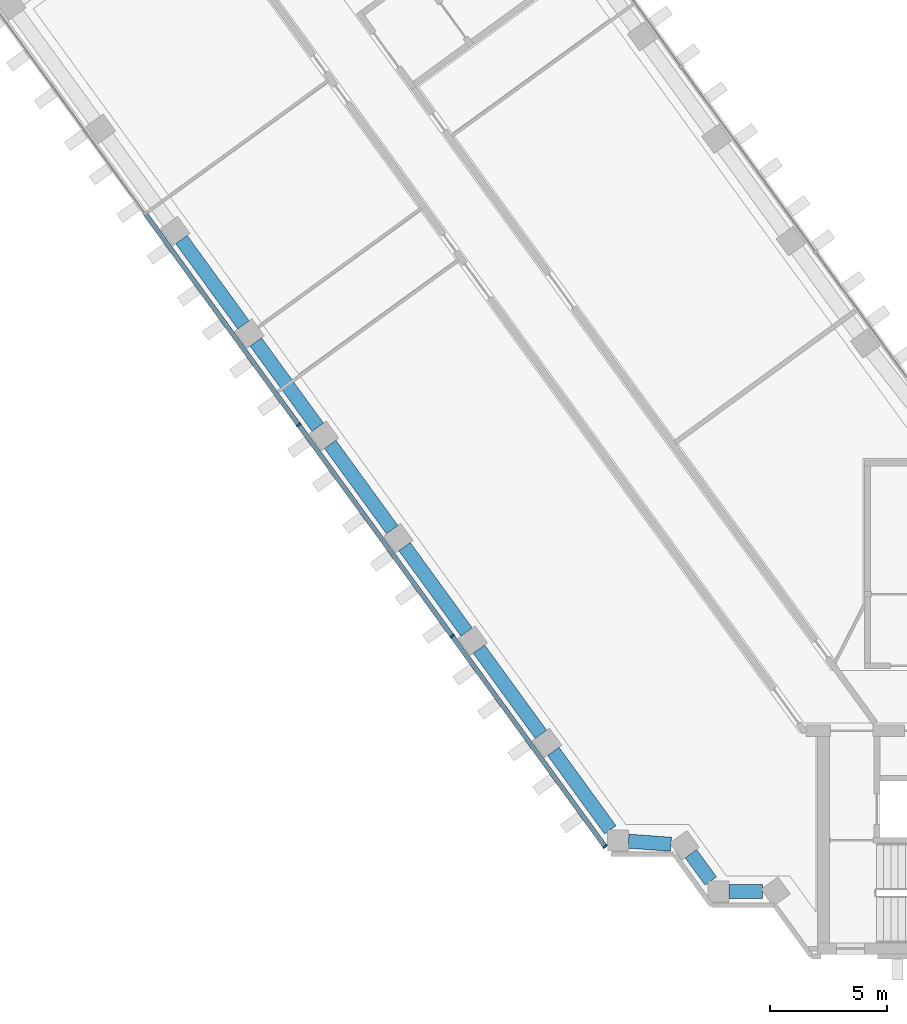
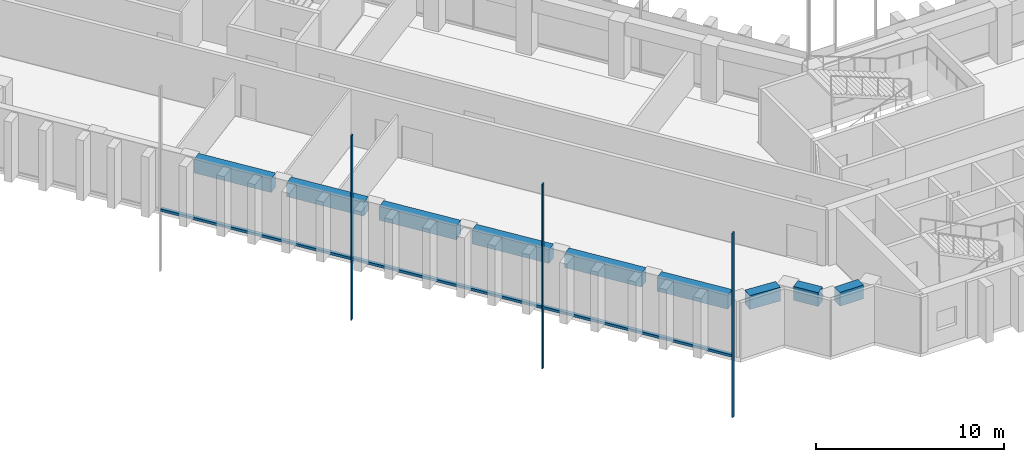
# One storey, part 2 of 16: 9 beams, 6 members, 1 element without a shape of its own.
"""IFC4 building model written with IfcOpenShell, lengths in metres."""

from ifc_helpers import new_model, si_unit, direction, frame, origin, origin_2d, place, context, subcontext, project, spatial, rectangle, extrude, material, material_profile, profile_set, type_object, element, aggregate, save


model = new_model("IFC4")

# Units and contexts
model_context = context("Model", 3, precision=1e-05, world=origin(), true_north=direction((0.0, 1.0)))
body_context = subcontext(model_context, "Body", "Model", "MODEL_VIEW")
ifc_project = project(units=[si_unit("LENGTHUNIT", "METRE"), si_unit("AREAUNIT", "SQUARE_METRE"), si_unit("VOLUMEUNIT", "CUBIC_METRE"), si_unit("PLANEANGLEUNIT", "RADIAN"), si_unit("MASSUNIT", "GRAM", prefix="KILO")], contexts=[model_context])

# Site, building, storey
site_placement = place(None, origin())
site = spatial("IfcSite", under=ifc_project, at=site_placement, CompositionType="ELEMENT")
building_placement = place(site_placement, origin())
building = spatial("IfcBuilding", under=site, at=building_placement, Name="Quipu Civic Tower", CompositionType="ELEMENT")
storey_placement = place(building_placement, frame((0.0, 0.0, 125.0)))
storey = spatial("IfcBuildingStorey", under=building, at=storey_placement, Name="L29", CompositionType="ELEMENT", Elevation=125.0)

# Curtain wall, members
ifc_material_1 = material(Name="Insulated glass unit", Category="glass")
curtain_wall_type = type_object("IfcCurtainWallType", Name="Office curtain wall CW1", PredefinedType="NOTDEFINED", material=ifc_material_1)
curtain_wall_placement = place(storey_placement, origin())
curtain_wall = element("IfcCurtainWall", 1, at=curtain_wall_placement, inside=storey, type_object=curtain_wall_type, Name="Office curtain wall CW1 L28 run 11", PredefinedType="NOTDEFINED")
ifc_material_2 = material(Name="Anodised aluminium", Category="aluminium")
ifc_material_profile_1 = material_profile(ifc_material_2, rectangle(XDim=0.199951171875, YDim=0.080078125, at=origin_2d()), Name="RECT 200x80")
ifc_profile_set_1 = profile_set([ifc_material_profile_1], Name="Anodised aluminium")
member_type_1 = type_object("IfcMemberType", Name="Mullion CW1", PredefinedType="MULLION", material=ifc_profile_set_1)
member_1_placement = place(storey_placement, frame((-42.155029296875, 11.609130859375, -3.919921875), z_axis=(0.0, 0.0, 1.0), x_axis=(0.809016770908, 0.587785559869, 0.0)))
member_1 = element("IfcMember", 2, at=member_1_placement, type_object=member_type_1, Name="CW1 mullion 3", PredefinedType="MULLION", context=body_context, shape_type="SweptSolid", body=[
    extrude(rectangle(XDim=0.199951171875, YDim=0.080078125, at=origin_2d()), origin(), (0.0, 0.0, 1.0), 12.0),
])
member_2_placement = place(storey_placement, frame((-35.60546875, 2.594482421875, -3.919921875), z_axis=(0.0, 0.0, 1.0), x_axis=(0.809016770908, 0.587785559869, 0.0)))
member_2 = element("IfcMember", 3, at=member_2_placement, type_object=member_type_1, Name="CW1 mullion 4", PredefinedType="MULLION", context=body_context, shape_type="SweptSolid", body=[
    extrude(rectangle(XDim=0.199951171875, YDim=0.080078125, at=origin_2d()), origin(), (0.0, 0.0, 1.0), 12.0),
])
member_3_placement = place(storey_placement, frame((-29.079345703125, -6.3876953125, -3.919921875), z_axis=(0.0, 0.0, 1.0), x_axis=(0.809016770908, 0.587785559869, 0.0)))
member_3 = element("IfcMember", 4, at=member_3_placement, type_object=member_type_1, Name="CW1 mullion 5", PredefinedType="MULLION", context=body_context, shape_type="SweptSolid", body=[
    extrude(rectangle(XDim=0.199951171875, YDim=0.080078125, at=origin_2d()), origin(), (0.0, 0.0, 1.0), 12.0),
])

# Beams
ifc_material_3 = material(Name="Concrete C50/60", Category="concrete")
ifc_material_profile_2 = material_profile(ifc_material_3, rectangle(XDim=0.60009765625, YDim=0.89990234375, at=origin_2d()), Name="RC600x900")
ifc_profile_set_2 = profile_set([ifc_material_profile_2], Name="Concrete C50/60")
beam_type = type_object("IfcBeamType", Name="Spandrel beam RC 600x900 C50/60", PredefinedType="SPANDREL", material=ifc_profile_set_2)
beam_1_placement = place(storey_placement, frame((-47.15380859375, 19.5107421875, 3.199951171875), z_axis=(0.587803872688, -0.809003465539, 0.0), x_axis=(0.809003465539, 0.587803872688, 0.0)))
element("IfcBeam", 5, at=beam_1_placement, inside=storey, type_object=beam_type, Name="Spandrel beam L29 W-OUT-06 to W-OUT-05", PredefinedType="SPANDREL", context=body_context, shape_type="SweptSolid", body=[
    extrude(rectangle(XDim=0.60009765625, YDim=0.89990234375, at=origin_2d()), origin(), (0.0, 0.0, 1.0), 4.499755859375),
])
for number, where, z_axis, x_axis, name in (
    (6, (-43.97998046875, 15.14208984375, 3.199951171875), (0.587778073121, -0.809022210299, 0.0), (0.809022210299, 0.587778073121, 0.0), "Spandrel beam L29 W-OUT-05 to W-OUT-04"),
    (7, (-40.805908203125, 10.7734375, 3.199951171875), (0.587778073121, -0.809022210299, 0.0), (0.809022210299, 0.587778073121, 0.0), "Spandrel beam L29 W-OUT-04 to W-OUT-03"),
):
    element("IfcBeam", number, at=place(storey_placement, frame(where, z_axis=z_axis, x_axis=x_axis)), inside=storey, type_object=beam_type, Name=name, PredefinedType="SPANDREL", context=body_context, shape_type="SweptSolid", body=[
        extrude(rectangle(XDim=0.60009765625, YDim=0.89990234375, at=origin_2d()), origin(), (0.0, 0.0, 1.0), 4.5),
    ])
beam_2_placement = place(storey_placement, frame((-37.6318359375, 6.404541015625, 3.199951171875), z_axis=(0.587803872688, -0.809003465539, 0.0), x_axis=(0.809003465539, 0.587803872688, 0.0)))
element("IfcBeam", 8, at=beam_2_placement, inside=storey, type_object=beam_type, Name="Spandrel beam L29 W-OUT-03 to W-OUT-02", PredefinedType="SPANDREL", context=body_context, shape_type="SweptSolid", body=[
    extrude(rectangle(XDim=0.60009765625, YDim=0.89990234375, at=origin_2d()), origin(), (0.0, 0.0, 1.0), 4.499755859375),
])
beam_3_placement = place(storey_placement, frame((-34.457763671875, 2.035888671875, 3.199951171875), z_axis=(0.587778073121, -0.809022210299, 0.0), x_axis=(0.809022210299, 0.587778073121, 0.0)))
element("IfcBeam", 9, at=beam_3_placement, inside=storey, type_object=beam_type, Name="Spandrel beam L29 W-OUT-02 to W-OUT-01", PredefinedType="SPANDREL", context=body_context, shape_type="SweptSolid", body=[
    extrude(rectangle(XDim=0.60009765625, YDim=0.89990234375, at=origin_2d()), origin(), (0.0, 0.0, 1.0), 4.5),
])
beam_4_placement = place(storey_placement, frame((-31.28369140625, -2.332763671875, 3.199951171875), z_axis=(0.587750565781, -0.809042194464, 0.0), x_axis=(0.809042194464, 0.587750565781, 0.0)))
element("IfcBeam", 10, at=beam_4_placement, inside=storey, type_object=beam_type, Name="Spandrel beam L29 W-OUT-01 to J-Wo.0", PredefinedType="SPANDREL", context=body_context, shape_type="SweptSolid", body=[
    extrude(rectangle(XDim=0.60009765625, YDim=0.89990234375, at=origin_2d()), origin(), (0.0, 0.0, 1.0), 4.13720703125),
])
beam_5_placement = place(storey_placement, frame((-28.074951171875, -6.16259765625, 3.199951171875), z_axis=(0.997367229877, -0.072516265536, 0.0), x_axis=(0.072516265536, 0.997367229877, 0.0)))
element("IfcBeam", 11, at=beam_5_placement, inside=storey, type_object=beam_type, Name="Spandrel beam L29 J-Wo.0 to J-Wo.1", PredefinedType="SPANDREL", context=body_context, shape_type="SweptSolid", body=[
    extrude(rectangle(XDim=0.60009765625, YDim=0.89990234375, at=origin_2d()), origin(), (0.0, 0.0, 1.0), 1.818115234375),
])
beam_6_placement = place(storey_placement, frame((-25.40966796875, -6.700927734375, 3.199951171875), z_axis=(0.588433824377, -0.808545381738, 0.0), x_axis=(0.808545381738, 0.588433824377, 0.0)))
element("IfcBeam", 12, at=beam_6_placement, inside=storey, type_object=beam_type, Name="Spandrel beam L29 J-Wo.1 to J-Wo.2", PredefinedType="SPANDREL", context=body_context, shape_type="SweptSolid", body=[
    extrude(rectangle(XDim=0.60009765625, YDim=0.89990234375, at=origin_2d()), origin(), (0.0, 0.0, 1.0), 1.439697265625),
])
beam_7_placement = place(storey_placement, frame((-23.784912109375, -8.31494140625, 3.199951171875), z_axis=(1.0, 0.0, 0.0), x_axis=(0.0, 1.0, 0.0)))
element("IfcBeam", 13, at=beam_7_placement, inside=storey, type_object=beam_type, Name="Spandrel beam L29 J-Wo.2 to J-Wo.3", PredefinedType="SPANDREL", context=body_context, shape_type="SweptSolid", body=[
    extrude(rectangle(XDim=0.60009765625, YDim=0.89990234375, at=origin_2d()), origin(), (0.0, 0.0, 1.0), 1.436767578125),
])

# Member
ifc_material_4 = material(Name="Anodised aluminium", Category="aluminium")
ifc_material_profile_3 = material_profile(ifc_material_4, rectangle(XDim=0.199951171875, YDim=0.159912109375, at=origin_2d()), Name="RECT 200x160")
ifc_profile_set_3 = profile_set([ifc_material_profile_3], Name="Anodised aluminium")
member_type_2 = type_object("IfcMemberType", Name="Transom CW1", PredefinedType="USERDEFINED", material=ifc_profile_set_3)
member_4_placement = place(storey_placement, frame((-48.68115234375, 20.591552734375, 0.080078125), z_axis=(0.587795037589, -0.80900988485, 0.0), x_axis=(0.80900988485, 0.587795037589, 0.0)))
member_4 = element("IfcMember", 14, at=member_4_placement, type_object=member_type_2, Name="CW1 transom 2.2", ObjectType="TRANSOM", PredefinedType="USERDEFINED", context=body_context, shape_type="SweptSolid", body=[
    extrude(rectangle(XDim=0.199951171875, YDim=0.159912109375, at=origin_2d()), origin(), (0.0, 0.0, 1.0), 11.062744140625),
])

member_5_placement = place(storey_placement, frame((-42.131591796875, 11.576904296875, 0.080078125), z_axis=(0.587795037589, -0.80900988485, 0.0), x_axis=(0.80900988485, 0.587795037589, 0.0)))
member_5 = element("IfcMember", 15, at=member_5_placement, type_object=member_type_2, Name="CW1 transom 3.2", ObjectType="TRANSOM", PredefinedType="USERDEFINED", context=body_context, shape_type="SweptSolid", body=[
    extrude(rectangle(XDim=0.199951171875, YDim=0.159912109375, at=origin_2d()), origin(), (0.0, 0.0, 1.0), 11.062744140625),
])

member_6_placement = place(storey_placement, frame((-35.58203125, 2.562255859375, 0.080078125), z_axis=(0.587779179422, -0.809021406539, 0.0), x_axis=(0.809021406539, 0.587779179422, 0.0)))
member_6 = element("IfcMember", 16, at=member_6_placement, type_object=member_type_2, Name="CW1 transom 4.2", ObjectType="TRANSOM", PredefinedType="USERDEFINED", context=body_context, shape_type="SweptSolid", body=[
    extrude(rectangle(XDim=0.199951171875, YDim=0.159912109375, at=origin_2d()), origin(), (0.0, 0.0, 1.0), 11.02294921875),
])

aggregate(curtain_wall, [member_1, member_2, member_3, member_4, member_5, member_6])

save(model, "model.ifc")
